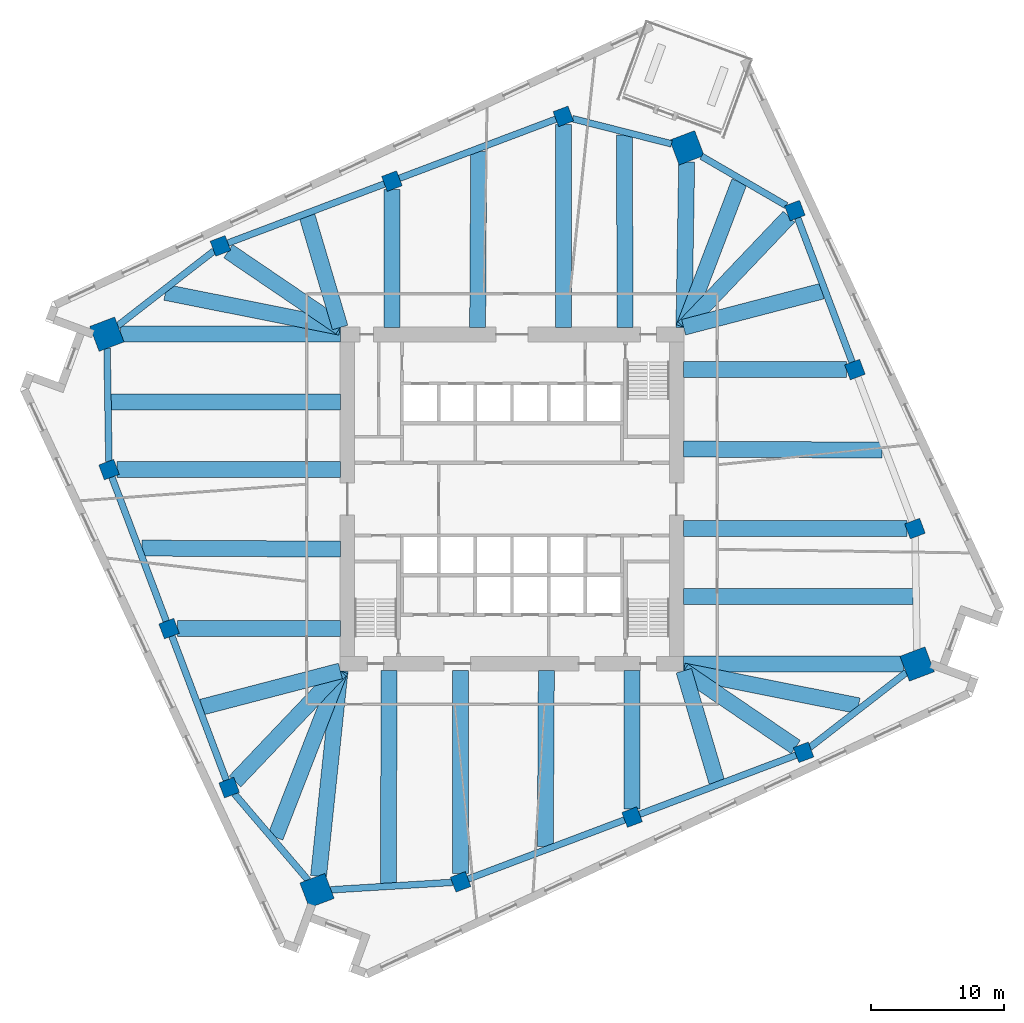
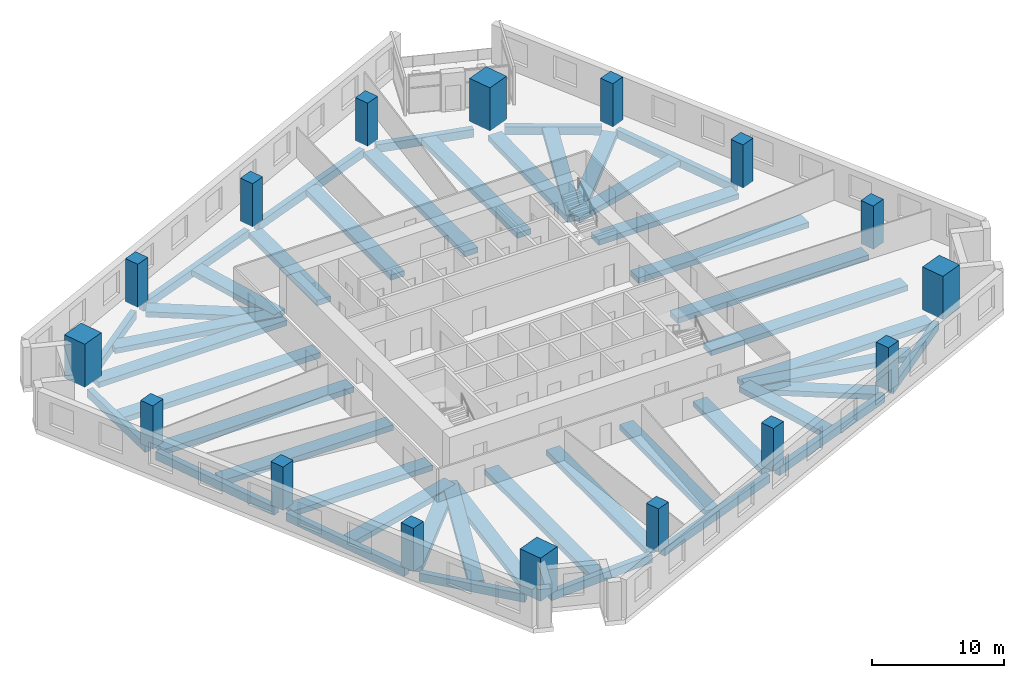
# One storey, part 1 of 12: 46 beams, 16 columns.
"""IFC4 building model written with IfcOpenShell, lengths in metres."""

from ifc_helpers import new_model, si_unit, direction, frame, origin, origin_2d, place, context, subcontext, project, spatial, rectangle, extrude, material, material_profile, profile_set, type_object, element, save


model = new_model("IFC4")

# Units and contexts
model_context = context("Model", 3, precision=1e-05, world=origin(), true_north=direction((0.0, 1.0)))
body_context = subcontext(model_context, "Body", "Model", "MODEL_VIEW")
ifc_project = project(units=[si_unit("LENGTHUNIT", "METRE"), si_unit("AREAUNIT", "SQUARE_METRE"), si_unit("VOLUMEUNIT", "CUBIC_METRE"), si_unit("PLANEANGLEUNIT", "RADIAN"), si_unit("MASSUNIT", "GRAM", prefix="KILO")], contexts=[model_context])

# Site, building, storey
site_placement = place(None, origin())
site = spatial("IfcSite", under=ifc_project, at=site_placement, CompositionType="ELEMENT")
building_placement = place(site_placement, origin())
building = spatial("IfcBuilding", under=site, at=building_placement, Name="Dilmun Exchange Tower", CompositionType="ELEMENT")
storey_placement = place(building_placement, frame((0.0, 0.0, 126.10009765625)))
storey = spatial("IfcBuildingStorey", under=building, at=storey_placement, Name="L29", CompositionType="ELEMENT", Elevation=126.10009765625)

# Columns
ifc_material_1 = material(Name="Concrete C70/85", Category="concrete")
ifc_material_profile_1 = material_profile(ifc_material_1, rectangle(XDim=2.0, YDim=2.0, at=origin_2d()), Name="2000 x 2000")
ifc_profile_set_1 = profile_set([ifc_material_profile_1], Name="Concrete C70/85")
column_type_1 = type_object("IfcColumnType", Name="RC mega column 2000 x 2000 C70/85", PredefinedType="COLUMN", material=ifc_profile_set_1)
for number, where, z_axis, x_axis, name in (
    (1, (13.1220703125, 26.35400390625, 0.0), (0.0, 0.0, 1.0), (0.935491525991, 0.353349125935, 0.0), "Mega column M1"),
    (2, (-30.39404296875, 12.37109375, 0.0), (0.0, 0.0, 1.0), (0.935491525991, 0.353349125935, 0.0), "Mega column M2"),
    (3, (-14.6259765625, -29.3759765625, 0.0), (0.0, 0.0, 1.0), (0.935491525991, 0.353349125935, 0.0), "Mega column M3"),
    (4, (30.39404296875, -12.37109375, 0.0), (0.0, 0.0, 1.0), (0.935491525991, 0.353349125935, 0.0), "Mega column M4"),
):
    element("IfcColumn", number, at=place(storey_placement, frame(where, z_axis=z_axis, x_axis=x_axis)), inside=storey, type_object=column_type_1, Name=name, PredefinedType="COLUMN", context=body_context, shape_type="SweptSolid", body=[
        extrude(rectangle(XDim=2.0, YDim=2.0, at=origin_2d()), origin(), (0.0, 0.0, 1.0), 4.0),
    ])
ifc_material_profile_2 = material_profile(ifc_material_1, rectangle(XDim=1.199951171875, YDim=1.199951171875, at=origin_2d()), Name="1200 x 1200")
ifc_profile_set_2 = profile_set([ifc_material_profile_2], Name="Concrete C70/85")
column_type_2 = type_object("IfcColumnType", Name="RC ring column 1200 x 1200 C70/85", PredefinedType="COLUMN", material=ifc_profile_set_2)
for number, where, z_axis, x_axis, name in (
    (5, (3.85302734375, 28.714111328125, 0.0), (0.0, 0.0, 1.0), (0.935491525991, 0.353349125935, 0.0), "Ring column R01"),
    (6, (-9.010009765625, 23.85498046875, 0.0), (0.0, 0.0, 1.0), (0.935491525991, 0.353349125935, 0.0), "Ring column R02"),
    (7, (-21.873046875, 18.99609375, 0.0), (0.0, 0.0, 1.0), (0.935491525991, 0.353349125935, 0.0), "Ring column R03"),
    (8, (-30.23095703125, 2.2099609375, 0.0), (0.0, 0.0, 1.0), (0.935491525991, 0.353349125935, 0.0), "Ring column R04"),
    (9, (-25.72607421875, -9.717041015625, 0.0), (0.0, 0.0, 1.0), (0.935491525991, 0.353349125935, 0.0), "Ring column R05"),
    (10, (-21.220947265625, -21.64501953125, 0.0), (0.0, 0.0, 1.0), (0.935491525991, 0.353349125935, 0.0), "Ring column R06"),
    (11, (-3.85302734375, -28.714111328125, 0.0), (0.0, 0.0, 1.0), (0.935491525991, 0.353349125935, 0.0), "Ring column R07"),
    (12, (9.010009765625, -23.85498046875, 0.0), (0.0, 0.0, 1.0), (0.935491525991, 0.353349125935, 0.0), "Ring column R08"),
    (13, (21.873046875, -18.99609375, 0.0), (0.0, 0.0, 1.0), (0.935491525991, 0.353349125935, 0.0), "Ring column R09"),
    (14, (30.23095703125, -2.2099609375, 0.0), (0.0, 0.0, 1.0), (0.935491525991, 0.353349125935, 0.0), "Ring column R10"),
    (15, (25.72607421875, 9.717041015625, 0.0), (0.0, 0.0, 1.0), (0.935491525991, 0.353349125935, 0.0), "Ring column R11"),
    (16, (21.220947265625, 21.64501953125, 0.0), (0.0, 0.0, 1.0), (0.935491525991, 0.353349125935, 0.0), "Ring column R12"),
):
    element("IfcColumn", number, at=place(storey_placement, frame(where, z_axis=z_axis, x_axis=x_axis)), inside=storey, type_object=column_type_2, Name=name, PredefinedType="COLUMN", context=body_context, shape_type="SweptSolid", body=[
        extrude(rectangle(XDim=1.199951171875, YDim=1.199951171875, at=origin_2d()), origin(), (0.0, 0.0, 1.0), 4.0),
    ])

# Beams
ifc_material_2 = material(Name="Concrete C40/50", Category="concrete")
ifc_material_profile_3 = material_profile(ifc_material_2, rectangle(XDim=1.199951171875, YDim=0.5, at=origin_2d()), Name="1200 x 500")
ifc_profile_set_3 = profile_set([ifc_material_profile_3], Name="Concrete C40/50")
beam_type_1 = type_object("IfcBeamType", Name="RC band beam 1200 x 500 C40/50", PredefinedType="BEAM", material=ifc_profile_set_3)
beam_1_placement = place(storey_placement, frame((13.104736328125, 25.305419921875, -0.77001953125), z_axis=(-0.016493249431, -0.99986397711, 0.0), x_axis=(0.99986397711, -0.016493249431, 0.0)))
element("IfcBeam", 17, at=beam_1_placement, inside=storey, type_object=beam_type_1, Name="Band beam 1", PredefinedType="BEAM", context=body_context, shape_type="SweptSolid", body=[
    extrude(rectangle(XDim=1.199951171875, YDim=0.5, at=origin_2d()), origin(), (0.0, 0.0, 1.0), 12.43408203125),
])
beam_2_placement = place(storey_placement, frame((3.85302734375, 28.099609375, -0.77001953125), z_axis=(0.0, -1.0, 0.0), x_axis=(1.0, 0.0, 0.0)))
element("IfcBeam", 18, at=beam_2_placement, inside=storey, type_object=beam_type_1, Name="Band beam 2", PredefinedType="BEAM", context=body_context, shape_type="SweptSolid", body=[
    extrude(rectangle(XDim=1.199951171875, YDim=0.5, at=origin_2d()), origin(), (0.0, 0.0, 1.0), 15.2265625),
])
beam_3_placement = place(storey_placement, frame((-9.010009765625, 23.240478515625, -0.77001953125), z_axis=(0.0, -1.0, 0.0), x_axis=(1.0, 0.0, 0.0)))
element("IfcBeam", 19, at=beam_3_placement, inside=storey, type_object=beam_type_1, Name="Band beam 3", PredefinedType="BEAM", context=body_context, shape_type="SweptSolid", body=[
    extrude(rectangle(XDim=1.199951171875, YDim=0.5, at=origin_2d()), origin(), (0.0, 0.0, 1.0), 10.367431640625),
])
beam_4_placement = place(storey_placement, frame((-21.28857421875, 18.59912109375, -0.77001953125), z_axis=(0.827157308771, -0.561970449888, 0.0), x_axis=(0.561970449888, 0.827157308771, 0.0)))
element("IfcBeam", 20, at=beam_4_placement, inside=storey, type_object=beam_type_1, Name="Band beam 4", PredefinedType="BEAM", context=body_context, shape_type="SweptSolid", body=[
    extrude(rectangle(XDim=1.199951171875, YDim=0.5, at=origin_2d()), origin(), (0.0, 0.0, 1.0), 10.16845703125),
])
beam_5_placement = place(storey_placement, frame((-29.35205078125, 12.37109375, -0.77001953125), z_axis=(1.0, 0.0, 0.0), x_axis=(0.0, 1.0, 0.0)))
element("IfcBeam", 21, at=beam_5_placement, inside=storey, type_object=beam_type_1, Name="Band beam 5", PredefinedType="BEAM", context=body_context, shape_type="SweptSolid", body=[
    extrude(rectangle(XDim=1.199951171875, YDim=0.5, at=origin_2d()), origin(), (0.0, 0.0, 1.0), 16.47900390625),
])
beam_6_placement = place(storey_placement, frame((-29.61669921875, 2.2099609375, -0.77001953125), z_axis=(1.0, 0.0, 0.0), x_axis=(0.0, 1.0, 0.0)))
element("IfcBeam", 22, at=beam_6_placement, inside=storey, type_object=beam_type_1, Name="Band beam 6", PredefinedType="BEAM", context=body_context, shape_type="SweptSolid", body=[
    extrude(rectangle(XDim=1.199951171875, YDim=0.5, at=origin_2d()), origin(), (0.0, 0.0, 1.0), 16.74365234375),
])
beam_7_placement = place(storey_placement, frame((-25.111572265625, -9.717041015625, -0.77001953125), z_axis=(1.0, 0.0, 0.0), x_axis=(0.0, 1.0, 0.0)))
element("IfcBeam", 23, at=beam_7_placement, inside=storey, type_object=beam_type_1, Name="Band beam 7", PredefinedType="BEAM", context=body_context, shape_type="SweptSolid", body=[
    extrude(rectangle(XDim=1.199951171875, YDim=0.5, at=origin_2d()), origin(), (0.0, 0.0, 1.0), 12.238525390625),
])
beam_8_placement = place(storey_placement, frame((-20.780517578125, -21.181884765625, -0.77001953125), z_axis=(0.689333244672, 0.724444392476, 0.0), x_axis=(-0.724444392476, 0.689333244672, 0.0)))
element("IfcBeam", 24, at=beam_8_placement, inside=storey, type_object=beam_type_1, Name="Band beam 8", PredefinedType="BEAM", context=body_context, shape_type="SweptSolid", body=[
    extrude(rectangle(XDim=1.199951171875, YDim=0.5, at=origin_2d()), origin(), (0.0, 0.0, 1.0), 11.459228515625),
])
beam_9_placement = place(storey_placement, frame((-14.51220703125, -28.289794921875, -0.77001953125), z_axis=(0.104185478447, 0.994557884731, 0.0), x_axis=(-0.994557884731, 0.104185478447, 0.0)))
element("IfcBeam", 25, at=beam_9_placement, inside=storey, type_object=beam_type_1, Name="Band beam 9", PredefinedType="BEAM", context=body_context, shape_type="SweptSolid", body=[
    extrude(rectangle(XDim=1.199951171875, YDim=0.5, at=origin_2d()), origin(), (0.0, 0.0, 1.0), 15.501220703125),
])
beam_10_placement = place(storey_placement, frame((-3.85302734375, -28.099609375, -0.77001953125), z_axis=(0.0, 1.0, 0.0), x_axis=(-1.0, 0.0, 0.0)))
element("IfcBeam", 26, at=beam_10_placement, inside=storey, type_object=beam_type_1, Name="Band beam 10", PredefinedType="BEAM", context=body_context, shape_type="SweptSolid", body=[
    extrude(rectangle(XDim=1.199951171875, YDim=0.5, at=origin_2d()), origin(), (0.0, 0.0, 1.0), 15.2265625),
])
beam_11_placement = place(storey_placement, frame((9.010009765625, -23.240478515625, -0.77001953125), z_axis=(0.0, 1.0, 0.0), x_axis=(-1.0, 0.0, 0.0)))
element("IfcBeam", 27, at=beam_11_placement, inside=storey, type_object=beam_type_1, Name="Band beam 11", PredefinedType="BEAM", context=body_context, shape_type="SweptSolid", body=[
    extrude(rectangle(XDim=1.199951171875, YDim=0.5, at=origin_2d()), origin(), (0.0, 0.0, 1.0), 10.367431640625),
])
beam_12_placement = place(storey_placement, frame((21.28857421875, -18.59912109375, -0.77001953125), z_axis=(-0.827157308771, 0.561970449888, 0.0), x_axis=(-0.561970449888, -0.827157308771, 0.0)))
element("IfcBeam", 28, at=beam_12_placement, inside=storey, type_object=beam_type_1, Name="Band beam 12", PredefinedType="BEAM", context=body_context, shape_type="SweptSolid", body=[
    extrude(rectangle(XDim=1.199951171875, YDim=0.5, at=origin_2d()), origin(), (0.0, 0.0, 1.0), 10.16845703125),
])
beam_13_placement = place(storey_placement, frame((29.35205078125, -12.37109375, -0.77001953125), z_axis=(-1.0, 0.0, 0.0), x_axis=(0.0, -1.0, 0.0)))
element("IfcBeam", 29, at=beam_13_placement, inside=storey, type_object=beam_type_1, Name="Band beam 13", PredefinedType="BEAM", context=body_context, shape_type="SweptSolid", body=[
    extrude(rectangle(XDim=1.199951171875, YDim=0.5, at=origin_2d()), origin(), (0.0, 0.0, 1.0), 16.47900390625),
])
beam_14_placement = place(storey_placement, frame((29.61669921875, -2.2099609375, -0.77001953125), z_axis=(-1.0, 0.0, 0.0), x_axis=(0.0, -1.0, 0.0)))
element("IfcBeam", 30, at=beam_14_placement, inside=storey, type_object=beam_type_1, Name="Band beam 14", PredefinedType="BEAM", context=body_context, shape_type="SweptSolid", body=[
    extrude(rectangle(XDim=1.199951171875, YDim=0.5, at=origin_2d()), origin(), (0.0, 0.0, 1.0), 16.74365234375),
])
beam_15_placement = place(storey_placement, frame((25.111572265625, 9.717041015625, -0.77001953125), z_axis=(-1.0, 0.0, 0.0), x_axis=(0.0, -1.0, 0.0)))
element("IfcBeam", 31, at=beam_15_placement, inside=storey, type_object=beam_type_1, Name="Band beam 15", PredefinedType="BEAM", context=body_context, shape_type="SweptSolid", body=[
    extrude(rectangle(XDim=1.199951171875, YDim=0.5, at=origin_2d()), origin(), (0.0, 0.0, 1.0), 12.238525390625),
])
beam_16_placement = place(storey_placement, frame((20.780517578125, 21.181884765625, -0.77001953125), z_axis=(-0.689333244672, -0.724444392476, 0.0), x_axis=(0.724444392476, -0.689333244672, 0.0)))
element("IfcBeam", 32, at=beam_16_placement, inside=storey, type_object=beam_type_1, Name="Band beam 16", PredefinedType="BEAM", context=body_context, shape_type="SweptSolid", body=[
    extrude(rectangle(XDim=1.199951171875, YDim=0.5, at=origin_2d()), origin(), (0.0, 0.0, 1.0), 11.459228515625),
])
beam_17_placement = place(storey_placement, frame((8.4326171875, 27.31787109375, -0.670166015625), z_axis=(0.003802832253, -0.999992769207, 0.0), x_axis=(0.999992769207, 0.003802832253, 0.0)))
element("IfcBeam", 33, at=beam_17_placement, inside=storey, type_object=beam_type_1, Name="Band beam 17", PredefinedType="BEAM", context=body_context, shape_type="SweptSolid", body=[
    extrude(rectangle(XDim=1.199951171875, YDim=0.5, at=origin_2d()), origin(), (0.0, 0.0, 1.0), 14.44482421875),
])
beam_18_placement = place(storey_placement, frame((-2.499755859375, 26.075927734375, -0.670166015625), z_axis=(-0.005972637047, -0.999982163644, 0.0), x_axis=(0.999982163644, -0.005972637047, 0.0)))
element("IfcBeam", 34, at=beam_18_placement, inside=storey, type_object=beam_type_1, Name="Band beam 18", PredefinedType="BEAM", context=body_context, shape_type="SweptSolid", body=[
    extrude(rectangle(XDim=1.199951171875, YDim=0.5, at=origin_2d()), origin(), (0.0, 0.0, 1.0), 13.203125),
])
beam_19_placement = place(storey_placement, frame((-15.36279296875, 21.216796875, -0.670166015625), z_axis=(0.283932601838, -0.958844240538, 0.0), x_axis=(0.958844240538, 0.283932601838, 0.0)))
element("IfcBeam", 35, at=beam_19_placement, inside=storey, type_object=beam_type_1, Name="Band beam 19", PredefinedType="BEAM", context=body_context, shape_type="SweptSolid", body=[
    extrude(rectangle(XDim=1.199951171875, YDim=0.5, at=origin_2d()), origin(), (0.0, 0.0, 1.0), 8.700927734375),
])
beam_20_placement = place(storey_placement, frame((-25.99658203125, 15.50732421875, -0.670166015625), z_axis=(0.980746640289, -0.19528447855, 0.0), x_axis=(0.19528447855, 0.980746640289, 0.0)))
element("IfcBeam", 36, at=beam_20_placement, inside=storey, type_object=beam_type_1, Name="Band beam 20", PredefinedType="BEAM", context=body_context, shape_type="SweptSolid", body=[
    extrude(rectangle(XDim=1.199951171875, YDim=0.5, at=origin_2d()), origin(), (0.0, 0.0, 1.0), 13.380615234375),
])
beam_21_placement = place(storey_placement, frame((-30.089599609375, 7.294189453125, -0.670166015625), z_axis=(0.999999977378, -0.000212708627, 0.0), x_axis=(0.000212708627, 0.999999977378, 0.0)))
element("IfcBeam", 37, at=beam_21_placement, inside=storey, type_object=beam_type_1, Name="Band beam 21", PredefinedType="BEAM", context=body_context, shape_type="SweptSolid", body=[
    extrude(rectangle(XDim=1.199951171875, YDim=0.5, at=origin_2d()), origin(), (0.0, 0.0, 1.0), 17.216552734375),
])
beam_22_placement = place(storey_placement, frame((-27.77001953125, -3.6748046875, -0.670166015625), z_axis=(0.999986076233, -0.005277057861, 0.0), x_axis=(0.005277057861, 0.999986076233, 0.0)))
element("IfcBeam", 38, at=beam_22_placement, inside=storey, type_object=beam_type_1, Name="Band beam 22", PredefinedType="BEAM", context=body_context, shape_type="SweptSolid", body=[
    extrude(rectangle(XDim=1.199951171875, YDim=0.5, at=origin_2d()), origin(), (0.0, 0.0, 1.0), 14.897216796875),
])
beam_23_placement = place(storey_placement, frame((-23.264892578125, -15.602294921875, -0.670166015625), z_axis=(0.967651305888, 0.252291399404, 0.0), x_axis=(-0.252291399404, 0.967651305888, 0.0)))
element("IfcBeam", 39, at=beam_23_placement, inside=storey, type_object=beam_type_1, Name="Band beam 23", PredefinedType="BEAM", context=body_context, shape_type="SweptSolid", body=[
    extrude(rectangle(XDim=1.199951171875, YDim=0.5, at=origin_2d()), origin(), (0.0, 0.0, 1.0), 10.738525390625),
])
beam_24_placement = place(storey_placement, frame((-17.75390625, -25.36572265625, -0.670166015625), z_axis=(0.362868113779, 0.931840507814, 0.0), x_axis=(-0.931840507814, 0.362868113779, 0.0)))
element("IfcBeam", 40, at=beam_24_placement, inside=storey, type_object=beam_type_1, Name="Band beam 24", PredefinedType="BEAM", context=body_context, shape_type="SweptSolid", body=[
    extrude(rectangle(XDim=1.199951171875, YDim=0.5, at=origin_2d()), origin(), (0.0, 0.0, 1.0), 13.404296875),
])
beam_25_placement = place(storey_placement, frame((-9.253173828125, -28.822509765625, -0.670166015625), z_axis=(0.000857199397, 0.999999632605, 0.0), x_axis=(-0.999999632605, 0.000857199397, 0.0)))
element("IfcBeam", 41, at=beam_25_placement, inside=storey, type_object=beam_type_1, Name="Band beam 25", PredefinedType="BEAM", context=body_context, shape_type="SweptSolid", body=[
    extrude(rectangle(XDim=1.199951171875, YDim=0.5, at=origin_2d()), origin(), (0.0, 0.0, 1.0), 15.949462890625),
])
beam_26_placement = place(storey_placement, frame((2.499755859375, -26.075927734375, -0.670166015625), z_axis=(0.005972637047, 0.999982163644, 0.0), x_axis=(-0.999982163644, 0.005972637047, 0.0)))
element("IfcBeam", 42, at=beam_26_placement, inside=storey, type_object=beam_type_1, Name="Band beam 26", PredefinedType="BEAM", context=body_context, shape_type="SweptSolid", body=[
    extrude(rectangle(XDim=1.199951171875, YDim=0.5, at=origin_2d()), origin(), (0.0, 0.0, 1.0), 13.203125),
])
beam_27_placement = place(storey_placement, frame((15.36279296875, -21.216796875, -0.670166015625), z_axis=(-0.283932601838, 0.958844240538, 0.0), x_axis=(-0.958844240538, -0.283932601838, 0.0)))
element("IfcBeam", 43, at=beam_27_placement, inside=storey, type_object=beam_type_1, Name="Band beam 27", PredefinedType="BEAM", context=body_context, shape_type="SweptSolid", body=[
    extrude(rectangle(XDim=1.199951171875, YDim=0.5, at=origin_2d()), origin(), (0.0, 0.0, 1.0), 8.700927734375),
])
beam_28_placement = place(storey_placement, frame((25.99658203125, -15.50732421875, -0.670166015625), z_axis=(-0.980746640289, 0.19528447855, 0.0), x_axis=(-0.19528447855, -0.980746640289, 0.0)))
element("IfcBeam", 44, at=beam_28_placement, inside=storey, type_object=beam_type_1, Name="Band beam 28", PredefinedType="BEAM", context=body_context, shape_type="SweptSolid", body=[
    extrude(rectangle(XDim=1.199951171875, YDim=0.5, at=origin_2d()), origin(), (0.0, 0.0, 1.0), 13.380615234375),
])
beam_29_placement = place(storey_placement, frame((30.089599609375, -7.294189453125, -0.670166015625), z_axis=(-0.999999977378, 0.000212708627, 0.0), x_axis=(-0.000212708627, -0.999999977378, 0.0)))
element("IfcBeam", 45, at=beam_29_placement, inside=storey, type_object=beam_type_1, Name="Band beam 29", PredefinedType="BEAM", context=body_context, shape_type="SweptSolid", body=[
    extrude(rectangle(XDim=1.199951171875, YDim=0.5, at=origin_2d()), origin(), (0.0, 0.0, 1.0), 17.216552734375),
])
beam_30_placement = place(storey_placement, frame((27.77001953125, 3.6748046875, -0.670166015625), z_axis=(-0.999986076233, 0.005277057861, 0.0), x_axis=(-0.005277057861, -0.999986076233, 0.0)))
element("IfcBeam", 46, at=beam_30_placement, inside=storey, type_object=beam_type_1, Name="Band beam 30", PredefinedType="BEAM", context=body_context, shape_type="SweptSolid", body=[
    extrude(rectangle(XDim=1.199951171875, YDim=0.5, at=origin_2d()), origin(), (0.0, 0.0, 1.0), 14.897216796875),
])
beam_31_placement = place(storey_placement, frame((23.264892578125, 15.602294921875, -0.670166015625), z_axis=(-0.967651305888, -0.252291399404, 0.0), x_axis=(0.252291399404, -0.967651305888, 0.0)))
element("IfcBeam", 47, at=beam_31_placement, inside=storey, type_object=beam_type_1, Name="Band beam 31", PredefinedType="BEAM", context=body_context, shape_type="SweptSolid", body=[
    extrude(rectangle(XDim=1.199951171875, YDim=0.5, at=origin_2d()), origin(), (0.0, 0.0, 1.0), 10.738525390625),
])
beam_32_placement = place(storey_placement, frame((17.059326171875, 23.806640625, -0.670166015625), z_axis=(-0.356325045493, -0.934362061491, 0.0), x_axis=(0.934362061491, -0.356325045493, 0.0)))
element("IfcBeam", 48, at=beam_32_placement, inside=storey, type_object=beam_type_1, Name="Band beam 32", PredefinedType="BEAM", context=body_context, shape_type="SweptSolid", body=[
    extrude(rectangle(XDim=1.199951171875, YDim=0.5, at=origin_2d()), origin(), (0.0, 0.0, 1.0), 11.699951171875),
])
ifc_material_profile_4 = material_profile(ifc_material_2, rectangle(XDim=0.5, YDim=0.75, at=origin_2d()), Name="500 x 750")
ifc_profile_set_4 = profile_set([ifc_material_profile_4], Name="Concrete C40/50")
beam_type_2 = type_object("IfcBeamType", Name="RC ring beam 500 x 750 C40/50", PredefinedType="SPANDREL", material=ifc_profile_set_4)
beam_33_placement = place(storey_placement, frame((11.965576171875, 26.6484375, -0.795166015625), z_axis=(-0.969078622485, 0.246752149825, 0.0), x_axis=(-0.246752149825, -0.969078622485, 0.0)))
element("IfcBeam", 49, at=beam_33_placement, inside=storey, type_object=beam_type_2, Name="Ring beam 1", PredefinedType="SPANDREL", context=body_context, shape_type="SweptSolid", body=[
    extrude(rectangle(XDim=0.5, YDim=0.75, at=origin_2d()), origin(), (0.0, 0.0, 1.0), 7.666015625),
])
for number, where, z_axis, x_axis, name in (
    (50, (3.31689453125, 28.511474609375, -0.795166015625), (-0.935485896268, -0.353364030264, 0.0), (0.353364030264, -0.935485896268, 0.0), "Ring beam 2"),
    (51, (-9.5458984375, 23.652587890625, -0.795166015625), (-0.935479493126, -0.353380981294, 0.0), (0.353380981294, -0.935479493126, 0.0), "Ring beam 3"),
):
    element("IfcBeam", number, at=place(storey_placement, frame(where, z_axis=z_axis, x_axis=x_axis)), inside=storey, type_object=beam_type_2, Name=name, PredefinedType="SPANDREL", context=body_context, shape_type="SweptSolid", body=[
        extrude(rectangle(XDim=0.5, YDim=0.75, at=origin_2d()), origin(), (0.0, 0.0, 1.0), 12.604248046875),
    ])
beam_34_placement = place(storey_placement, frame((-22.347412109375, 18.627197265625, -0.795166015625), z_axis=(-0.789461122688, -0.613800566767, 0.0), x_axis=(0.613800566767, -0.789461122688, 0.0)))
element("IfcBeam", 52, at=beam_34_placement, inside=storey, type_object=beam_type_2, Name="Ring beam 4", PredefinedType="SPANDREL", context=body_context, shape_type="SweptSolid", body=[
    extrude(rectangle(XDim=0.5, YDim=0.75, at=origin_2d()), origin(), (0.0, 0.0, 1.0), 9.1728515625),
])
beam_35_placement = place(storey_placement, frame((-30.37744140625, 11.33544921875, -0.795166015625), z_axis=(0.016054357527, -0.999871120497, 0.0), x_axis=(0.999871120497, 0.016054357527, 0.0)))
element("IfcBeam", 53, at=beam_35_placement, inside=storey, type_object=beam_type_2, Name="Ring beam 5", PredefinedType="SPANDREL", context=body_context, shape_type="SweptSolid", body=[
    extrude(rectangle(XDim=0.5, YDim=0.75, at=origin_2d()), origin(), (0.0, 0.0, 1.0), 8.515869140625),
])
beam_36_placement = place(storey_placement, frame((-30.028564453125, 1.674072265625, -0.795166015625), z_axis=(0.353349831573, -0.935491259461, 0.0), x_axis=(0.935491259461, 0.353349831573, 0.0)))
element("IfcBeam", 54, at=beam_36_placement, inside=storey, type_object=beam_type_2, Name="Ring beam 6", PredefinedType="SPANDREL", context=body_context, shape_type="SweptSolid", body=[
    extrude(rectangle(XDim=0.5, YDim=0.75, at=origin_2d()), origin(), (0.0, 0.0, 1.0), 11.603515625),
])
beam_37_placement = place(storey_placement, frame((-25.5234375, -10.2529296875, -0.795166015625), z_axis=(0.353303601311, -0.935508720056, 0.0), x_axis=(0.935508720056, 0.353303601311, 0.0)))
element("IfcBeam", 55, at=beam_37_placement, inside=storey, type_object=beam_type_2, Name="Ring beam 7", PredefinedType="SPANDREL", context=body_context, shape_type="SweptSolid", body=[
    extrude(rectangle(XDim=0.5, YDim=0.75, at=origin_2d()), origin(), (0.0, 0.0, 1.0), 11.604248046875),
])
beam_38_placement = place(storey_placement, frame((-20.82470703125, -22.109619140625, -0.795166015625), z_axis=(0.64900225023, -0.76078648726, 0.0), x_axis=(0.76078648726, 0.64900225023, 0.0)))
element("IfcBeam", 56, at=beam_38_placement, inside=storey, type_object=beam_type_2, Name="Ring beam 8", PredefinedType="SPANDREL", context=body_context, shape_type="SweptSolid", body=[
    extrude(rectangle(XDim=0.5, YDim=0.75, at=origin_2d()), origin(), (0.0, 0.0, 1.0), 8.515625),
])
beam_39_placement = place(storey_placement, frame((-13.608154296875, -29.3134765625, -0.795166015625), z_axis=(0.998117890072, 0.061324363166, 0.0), x_axis=(-0.061324363166, 0.998117890072, 0.0)))
element("IfcBeam", 57, at=beam_39_placement, inside=storey, type_object=beam_type_2, Name="Ring beam 9", PredefinedType="SPANDREL", context=body_context, shape_type="SweptSolid", body=[
    extrude(rectangle(XDim=0.5, YDim=0.75, at=origin_2d()), origin(), (0.0, 0.0, 1.0), 9.172607421875),
])
for number, where, z_axis, x_axis, name in (
    (58, (-3.31689453125, -28.511474609375, -0.795166015625), (0.935485896268, 0.353364030264, 0.0), (-0.353364030264, 0.935485896268, 0.0), "Ring beam 10"),
    (59, (9.5458984375, -23.652587890625, -0.795166015625), (0.935479493126, 0.353380981294, 0.0), (-0.353380981294, 0.935479493126, 0.0), "Ring beam 11"),
):
    element("IfcBeam", number, at=place(storey_placement, frame(where, z_axis=z_axis, x_axis=x_axis)), inside=storey, type_object=beam_type_2, Name=name, PredefinedType="SPANDREL", context=body_context, shape_type="SweptSolid", body=[
        extrude(rectangle(XDim=0.5, YDim=0.75, at=origin_2d()), origin(), (0.0, 0.0, 1.0), 12.604248046875),
    ])
beam_40_placement = place(storey_placement, frame((22.347412109375, -18.627197265625, -0.795166015625), z_axis=(0.789461122688, 0.613800566767, 0.0), x_axis=(-0.613800566767, 0.789461122688, 0.0)))
element("IfcBeam", 60, at=beam_40_placement, inside=storey, type_object=beam_type_2, Name="Ring beam 12", PredefinedType="SPANDREL", context=body_context, shape_type="SweptSolid", body=[
    extrude(rectangle(XDim=0.5, YDim=0.75, at=origin_2d()), origin(), (0.0, 0.0, 1.0), 9.1728515625),
])
beam_41_placement = place(storey_placement, frame((25.5234375, 10.2529296875, -0.795166015625), z_axis=(-0.353303601311, 0.935508720056, 0.0), x_axis=(-0.935508720056, -0.353303601311, 0.0)))
element("IfcBeam", 61, at=beam_41_placement, inside=storey, type_object=beam_type_2, Name="Ring beam 15", PredefinedType="SPANDREL", context=body_context, shape_type="SweptSolid", body=[
    extrude(rectangle(XDim=0.5, YDim=0.75, at=origin_2d()), origin(), (0.0, 0.0, 1.0), 11.604248046875),
])
beam_42_placement = place(storey_placement, frame((20.57568359375, 22.020263671875, -0.795166015625), z_axis=(-0.864503499359, 0.50262679952, 0.0), x_axis=(-0.50262679952, -0.864503499359, 0.0)))
element("IfcBeam", 62, at=beam_42_placement, inside=storey, type_object=beam_type_2, Name="Ring beam 16", PredefinedType="SPANDREL", context=body_context, shape_type="SweptSolid", body=[
    extrude(rectangle(XDim=0.5, YDim=0.75, at=origin_2d()), origin(), (0.0, 0.0, 1.0), 7.35986328125),
])

save(model, "model.ifc")
